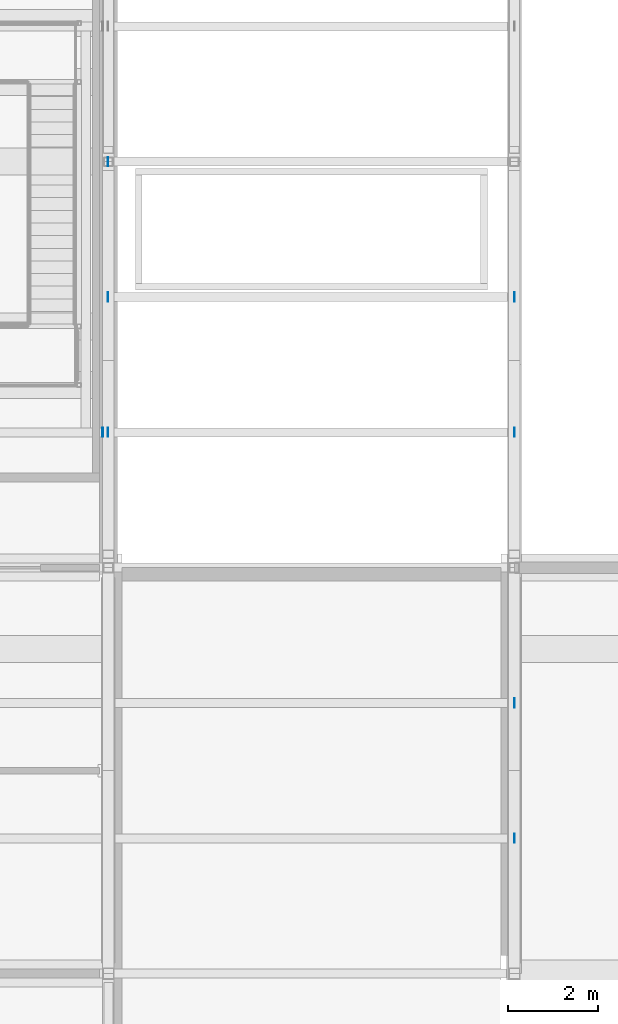
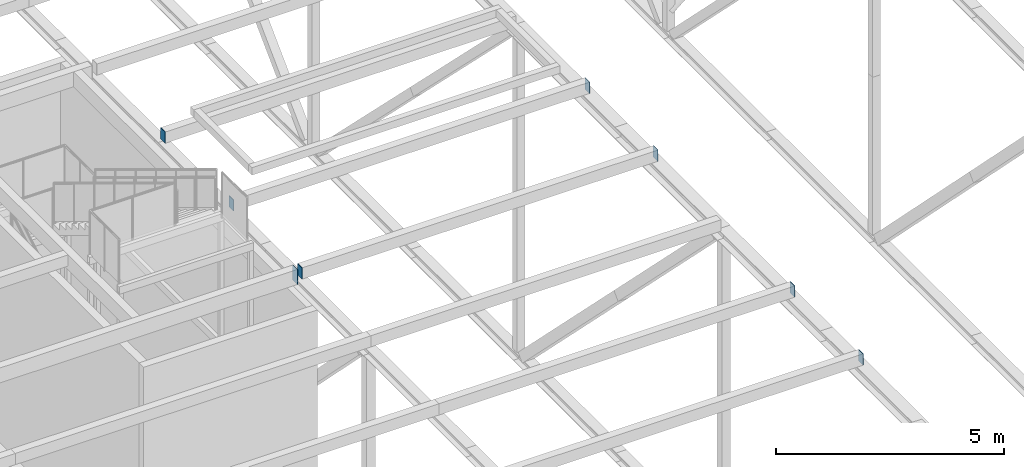
# One storey, part 186 of 646: 8 discrete accessories.
"""IFC4 building model written with IfcOpenShell, lengths in metres."""

from ifc_helpers import new_model, si_unit, direction, frame, origin, origin_2d, place, context, subcontext, project, spatial, rectangle, extrude, material, layer, layer_set, type_object, element, save


model = new_model("IFC4")

# Units and contexts
model_context = context("Model", 3, precision=1e-05, world=origin(), true_north=direction((0.0, 1.0)))
body_context = subcontext(model_context, "Body", "Model", "MODEL_VIEW")
ifc_project = project(units=[si_unit("LENGTHUNIT", "METRE"), si_unit("AREAUNIT", "SQUARE_METRE"), si_unit("VOLUMEUNIT", "CUBIC_METRE"), si_unit("PLANEANGLEUNIT", "RADIAN"), si_unit("MASSUNIT", "GRAM", prefix="KILO")], contexts=[model_context])

# Site, building, storey
site_placement = place(None, origin())
site = spatial("IfcSite", under=ifc_project, at=site_placement, CompositionType="ELEMENT")
building_placement = place(site_placement, origin())
building = spatial("IfcBuilding", under=site, at=building_placement, Name="Silverbay Arena", CompositionType="ELEMENT")
storey_placement = place(building_placement, frame((0.0, 0.0, 33.5)))
storey = spatial("IfcBuildingStorey", under=building, at=storey_placement, Name="L05", CompositionType="ELEMENT", Elevation=33.5)

# Discrete accessories
ifc_material = material(Name="Steel S355", Category="steel")
ifc_layer = layer(ifc_material, 0.011962890625)
ifc_layer_set = layer_set([ifc_layer], Name="Steel S355")
discrete_accessory_type = type_object("IfcDiscreteAccessoryType", Name="Purlin end plate 12", PredefinedType="USERDEFINED", material=ifc_layer_set)
discrete_accessory_placement = place(storey_placement, frame((71.87060546875, 66.0, 13.10009765625), z_axis=(1.0, 0.0, 0.0), x_axis=(0.0, 1.0, 0.0)))
element("IfcDiscreteAccessory", 1, at=discrete_accessory_placement, inside=storey, type_object=discrete_accessory_type, Name="Purlin end plate", ObjectType="END PLATE", PredefinedType="USERDEFINED", context=body_context, shape_type="SweptSolid", body=[
    extrude(rectangle(XDim=0.199951171875, YDim=0.39990234375, at=origin_2d()), origin(), (0.0, 0.0, 1.0), 0.011962890625),
])
for number, where, z_axis, x_axis, name in (
    (2, (81.0, 57.0, 13.14990234375), (1.0, 0.0, 0.0), (0.0, 1.0, 0.0), "Purlin end plate"),
    (3, (81.0, 60.0, 13.14990234375), (1.0, 0.0, 0.0), (0.0, 1.0, 0.0), "Purlin end plate"),
    (4, (81.0, 66.0, 13.14990234375), (1.0, 0.0, 0.0), (0.0, 1.0, 0.0), "Purlin end plate"),
    (5, (72.0, 66.0, 13.14990234375), (-1.0, 0.0, 0.0), (0.0, -1.0, 0.0), "Purlin end plate"),
    (6, (81.0, 69.0, 13.14990234375), (1.0, 0.0, 0.0), (0.0, 1.0, 0.0), "Purlin end plate"),
    (7, (72.0, 69.0, 13.14990234375), (-1.0, 0.0, 0.0), (0.0, -1.0, 0.0), "Purlin end plate"),
    (8, (72.0, 72.0, 13.14990234375), (-1.0, 0.0, 0.0), (0.0, -1.0, 0.0), "Purlin end plate"),
):
    element("IfcDiscreteAccessory", number, at=place(storey_placement, frame(where, z_axis=z_axis, x_axis=x_axis)), inside=storey, type_object=discrete_accessory_type, Name=name, ObjectType="END PLATE", PredefinedType="USERDEFINED", context=body_context, shape_type="SweptSolid", body=[
        extrude(rectangle(XDim=0.199951171875, YDim=0.300048828125, at=origin_2d()), origin(), (0.0, 0.0, 1.0), 0.011962890625),
    ])

save(model, "model.ifc")
